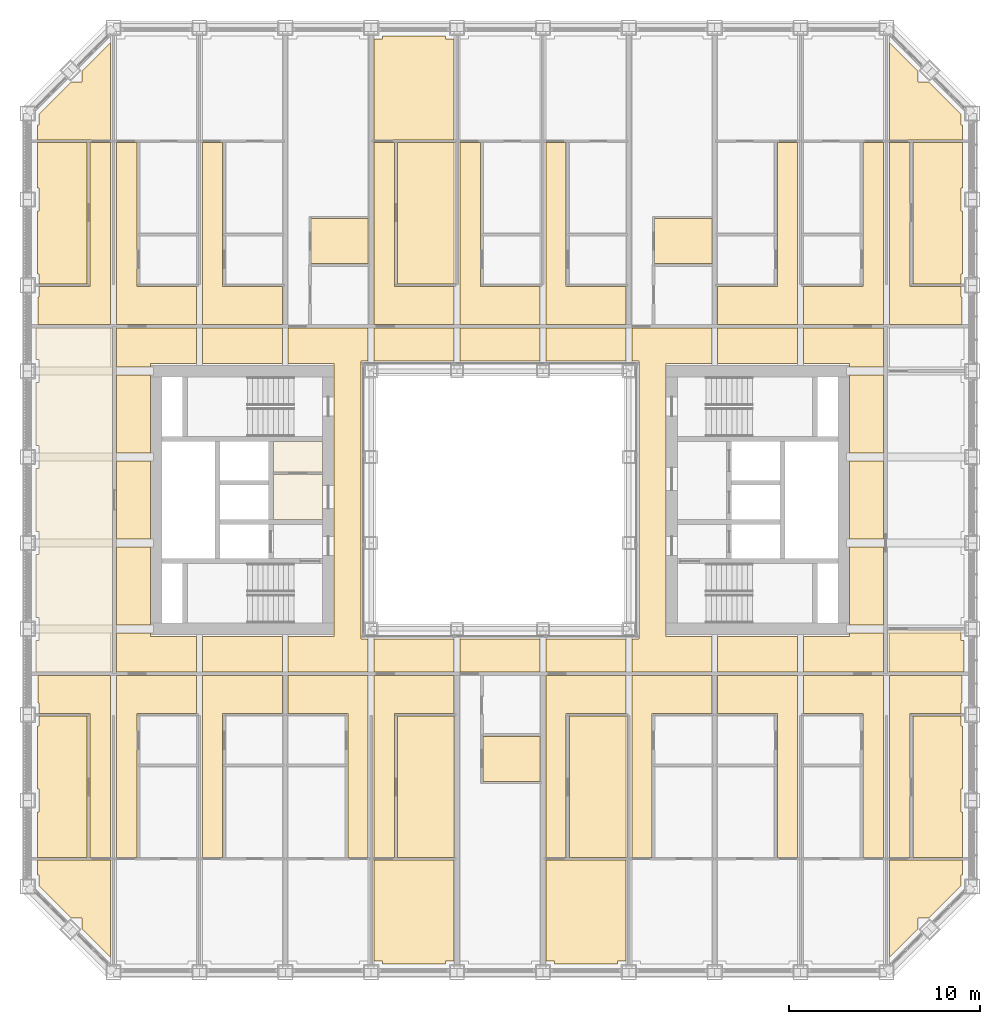
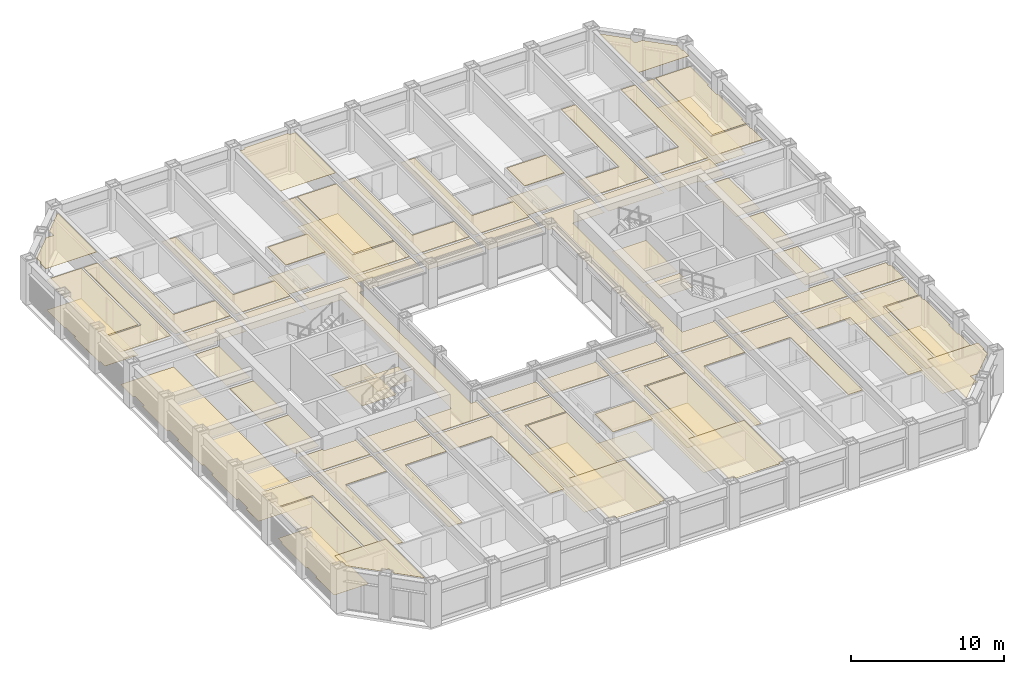
# One storey, part 18 of 20: 4 coverings.
"""IFC4 building model written with IfcOpenShell, lengths in metres."""

from ifc_helpers import new_model, si_unit, direction, frame, origin, place, context, subcontext, project, spatial, line, indexed_curve, outline, extrude, material, layer, layer_set, type_object, element, save


model = new_model("IFC4")

# Units and contexts
model_context = context("Model", 3, precision=1e-05, world=origin(), true_north=direction((0.0, 1.0)))
body_context = subcontext(model_context, "Body", "Model", "MODEL_VIEW")
ifc_project = project(units=[si_unit("LENGTHUNIT", "METRE"), si_unit("AREAUNIT", "SQUARE_METRE"), si_unit("VOLUMEUNIT", "CUBIC_METRE"), si_unit("PLANEANGLEUNIT", "RADIAN"), si_unit("MASSUNIT", "GRAM", prefix="KILO")], contexts=[model_context])

# Site, building, storey
site_placement = place(None, origin())
site = spatial("IfcSite", under=ifc_project, at=site_placement, CompositionType="ELEMENT")
building_placement = place(site_placement, origin())
building = spatial("IfcBuilding", under=site, at=building_placement, Name="Msasa Ring Tower", CompositionType="ELEMENT")
storey_placement = place(building_placement, frame((0.0, 0.0, 65.0)))
storey = spatial("IfcBuildingStorey", under=building, at=storey_placement, Name="L16", CompositionType="ELEMENT", Elevation=65.0)

# Coverings
ifc_material_1 = material(Name="Gypsum plasterboard on a steel suspension grid", Category="steel")
ifc_layer_1 = layer(ifc_material_1, 0.014892578125)
ifc_layer_set_1 = layer_set([ifc_layer_1], Name="C1 SUSPENDED PLASTERBOARD CEILING 15")
covering_type_1 = type_object("IfcCoveringType", Name="C1 SUSPENDED PLASTERBOARD CEILING 15", PredefinedType="CEILING", material=ifc_layer_set_1)
covering_1_placement = place(storey_placement, frame((0.0, 0.0, 2.39990234375)))
element("IfcCovering", 1, at=covering_1_placement, inside=storey, type_object=covering_type_1, Name="Suspended Plasterboard Ceiling 15 circulation L16", PredefinedType="CEILING", context=body_context, shape_type="SweptSolid", body=[
    extrude(outline(indexed_curve([(-21.469482421875, -18.744384765625), (-21.469482421875, -11.199462890625), (-24.1494140625, -11.199462890625), (-24.1494140625, -10.6494140625), (-24.199462890625, -10.6494140625), (-24.199462890625, -9.200439453125), (-20.404296875, -9.200439453125), (-20.404296875, -18.744384765625)], segments=[line(1, 2, 3, 4, 5, 6, 7, 8, 1)], self_intersect=False)), origin(), (0.0, 0.0, 1.0), 0.01513671875),
    extrude(outline(indexed_curve([(-24.199462890625, 9.200439453125), (-24.199462890625, 10.6494140625), (-24.1494140625, 10.6494140625), (-24.1494140625, 11.199462890625), (-21.469482421875, 11.199462890625), (-21.469482421875, 18.744384765625), (-20.404296875, 18.744384765625), (-20.404296875, 9.200439453125)], segments=[line(1, 2, 3, 4, 5, 6, 7, 8, 1)], self_intersect=False)), origin(), (0.0, 0.0, 1.0), 0.01513671875),
    extrude(outline(indexed_curve([(-20.099609375, -2.460693359375), (-18.300537109375, -2.460693359375), (-18.300537109375, -6.539306640625), (-20.099609375, -6.539306640625)], segments=[line(1, 2, 3, 4, 1)], self_intersect=False)), origin(), (0.0, 0.0, 1.0), 0.01513671875),
    extrude(outline(indexed_curve([(-20.099609375, 2.039306640625), (-18.300537109375, 2.039306640625), (-18.300537109375, -2.039306640625), (-20.099609375, -2.039306640625)], segments=[line(1, 2, 3, 4, 1)], self_intersect=False)), origin(), (0.0, 0.0, 1.0), 0.01513671875),
    extrude(outline(indexed_curve([(-20.099609375, 6.539306640625), (-18.300537109375, 6.539306640625), (-18.300537109375, 2.460693359375), (-20.099609375, 2.460693359375)], segments=[line(1, 2, 3, 4, 1)], self_intersect=False)), origin(), (0.0, 0.0, 1.0), 0.01513671875),
    extrude(outline(indexed_curve([(-19.030517578125, -11.199462890625), (-19.030517578125, -18.744384765625), (-20.095703125, -18.744384765625), (-20.095703125, -9.200439453125), (-15.904296875, -9.200439453125), (-15.904296875, -11.199462890625)], segments=[line(1, 2, 3, 4, 5, 6, 1)], self_intersect=False)), origin(), (0.0, 0.0, 1.0), 0.01513671875),
    extrude(outline(indexed_curve([(-20.095703125, -8.99951171875), (-20.095703125, -6.960693359375), (-18.300537109375, -6.960693359375), (-18.300537109375, -7.150390625), (-15.904296875, -7.150390625), (-15.904296875, -8.99951171875)], segments=[line(1, 2, 3, 4, 5, 6, 1)], self_intersect=False)), origin(), (0.0, 0.0, 1.0), 0.01513671875),
    extrude(outline(indexed_curve([(-15.904296875, 8.99951171875), (-15.904296875, 7.150390625), (-18.300537109375, 7.150390625), (-18.300537109375, 6.960693359375), (-20.095703125, 6.960693359375), (-20.095703125, 8.99951171875)], segments=[line(1, 2, 3, 4, 5, 6, 1)], self_intersect=False)), origin(), (0.0, 0.0, 1.0), 0.01513671875),
    extrude(outline(indexed_curve([(-19.030517578125, 18.744384765625), (-19.030517578125, 11.199462890625), (-15.904296875, 11.199462890625), (-15.904296875, 9.200439453125), (-20.095703125, 9.200439453125), (-20.095703125, 18.744384765625)], segments=[line(1, 2, 3, 4, 5, 6, 1)], self_intersect=False)), origin(), (0.0, 0.0, 1.0), 0.01513671875),
    extrude(outline(indexed_curve([(-11.404296875, -9.200439453125), (-11.404296875, -11.199462890625), (-14.530517578125, -11.199462890625), (-14.530517578125, -18.744384765625), (-15.595703125, -18.744384765625), (-15.595703125, -9.200439453125)], segments=[line(1, 2, 3, 4, 5, 6, 1)], self_intersect=False)), origin(), (0.0, 0.0, 1.0), 0.01513671875),
    extrude(outline(indexed_curve([(-15.595703125, -8.99951171875), (-15.595703125, -7.150390625), (-11.404296875, -7.150390625), (-11.404296875, -8.99951171875)], segments=[line(1, 2, 3, 4, 1)], self_intersect=False)), origin(), (0.0, 0.0, 1.0), 0.01513671875),
    extrude(outline(indexed_curve([(-11.404296875, 8.99951171875), (-11.404296875, 7.150390625), (-15.595703125, 7.150390625), (-15.595703125, 8.99951171875)], segments=[line(1, 2, 3, 4, 1)], self_intersect=False)), origin(), (0.0, 0.0, 1.0), 0.01513671875),
    extrude(outline(indexed_curve([(-14.530517578125, 18.744384765625), (-14.530517578125, 11.199462890625), (-11.404296875, 11.199462890625), (-11.404296875, 9.200439453125), (-15.595703125, 9.200439453125), (-15.595703125, 18.744384765625)], segments=[line(1, 2, 3, 4, 5, 6, 1)], self_intersect=False)), origin(), (0.0, 0.0, 1.0), 0.01513671875),
    extrude(outline(indexed_curve([(-11.87451171875, -3.074462890625), (-11.87451171875, -1.275390625), (-9.300537109375, -1.275390625), (-9.300537109375, -3.074462890625)], segments=[line(1, 2, 3, 4, 1)], self_intersect=False)), origin(), (0.0, 0.0, 1.0), 0.01513671875),
    extrude(outline(indexed_curve([(-7.969482421875, -18.744384765625), (-7.969482421875, -11.199462890625), (-11.095703125, -11.199462890625), (-11.095703125, -9.200439453125), (-6.904296875, -9.200439453125), (-6.904296875, -18.744384765625)], segments=[line(1, 2, 3, 4, 5, 6, 1)], self_intersect=False)), origin(), (0.0, 0.0, 1.0), 0.01513671875),
    extrude(outline(indexed_curve([(-6.904296875, 8.99951171875), (-6.904296875, 7.280029296875), (-7.275390625, 7.275390625), (-7.280517578125, 7.23046875), (-7.280517578125, -7.23046875), (-7.275390625, -7.275390625), (-6.904296875, -7.280029296875), (-6.904296875, -8.99951171875), (-11.095703125, -8.99951171875), (-11.095703125, -7.150390625), (-8.699462890625, -7.150390625), (-8.699462890625, 7.150390625), (-11.095703125, 7.150390625), (-11.095703125, 8.99951171875)], segments=[line(1, 2, 3, 4, 5, 6, 7, 8, 9, 10, 11, 12, 13, 14, 1)], self_intersect=False)), origin(), (0.0, 0.0, 1.0), 0.01513671875),
    extrude(outline(indexed_curve([(-6.595703125, -18.744384765625), (-6.595703125, -9.200439453125), (-2.404296875, -9.200439453125), (-2.404296875, -11.199462890625), (-5.530517578125, -11.199462890625), (-5.530517578125, -18.744384765625)], segments=[line(1, 2, 3, 4, 5, 6, 1)], self_intersect=False)), origin(), (0.0, 0.0, 1.0), 0.01513671875),
    extrude(outline(indexed_curve([(-6.595703125, -8.99951171875), (-6.595703125, -7.280029296875), (-2.404296875, -7.280029296875), (-2.404296875, -8.99951171875)], segments=[line(1, 2, 3, 4, 1)], self_intersect=False)), origin(), (0.0, 0.0, 1.0), 0.01513671875),
    extrude(outline(indexed_curve([(-2.404296875, 8.99951171875), (-2.404296875, 7.280029296875), (-6.595703125, 7.280029296875), (-6.595703125, 8.99951171875)], segments=[line(1, 2, 3, 4, 1)], self_intersect=False)), origin(), (0.0, 0.0, 1.0), 0.01513671875),
    extrude(outline(indexed_curve([(-5.530517578125, 11.199462890625), (-2.404296875, 11.199462890625), (-2.404296875, 9.200439453125), (-6.595703125, 9.200439453125), (-6.595703125, 18.744384765625), (-5.530517578125, 18.744384765625)], segments=[line(1, 2, 3, 4, 5, 6, 1)], self_intersect=False)), origin(), (0.0, 0.0, 1.0), 0.01513671875),
    extrude(outline(indexed_curve([(-2.095703125, -8.99951171875), (-2.095703125, -7.280029296875), (2.095703125, -7.280029296875), (2.095703125, -8.99951171875)], segments=[line(1, 2, 3, 4, 1)], self_intersect=False)), origin(), (0.0, 0.0, 1.0), 0.01513671875),
    extrude(outline(indexed_curve([(2.095703125, 8.99951171875), (2.095703125, 7.280029296875), (-2.095703125, 7.280029296875), (-2.095703125, 8.99951171875)], segments=[line(1, 2, 3, 4, 1)], self_intersect=False)), origin(), (0.0, 0.0, 1.0), 0.01513671875),
    extrude(outline(indexed_curve([(-1.030517578125, 18.744384765625), (-1.030517578125, 11.199462890625), (2.095703125, 11.199462890625), (2.095703125, 9.200439453125), (-2.095703125, 9.200439453125), (-2.095703125, 18.744384765625)], segments=[line(1, 2, 3, 4, 5, 6, 1)], self_intersect=False)), origin(), (0.0, 0.0, 1.0), 0.01513671875),
    extrude(outline(indexed_curve([(3.469482421875, -11.199462890625), (3.469482421875, -18.744384765625), (2.404296875, -18.744384765625), (2.404296875, -9.200439453125), (6.595703125, -9.200439453125), (6.595703125, -11.199462890625)], segments=[line(1, 2, 3, 4, 5, 6, 1)], self_intersect=False)), origin(), (0.0, 0.0, 1.0), 0.01513671875),
    extrude(outline(indexed_curve([(2.404296875, -8.99951171875), (2.404296875, -7.280029296875), (6.595703125, -7.280029296875), (6.595703125, -8.99951171875)], segments=[line(1, 2, 3, 4, 1)], self_intersect=False)), origin(), (0.0, 0.0, 1.0), 0.01513671875),
    extrude(outline(indexed_curve([(6.595703125, 8.99951171875), (6.595703125, 7.280029296875), (2.404296875, 7.280029296875), (2.404296875, 8.99951171875)], segments=[line(1, 2, 3, 4, 1)], self_intersect=False)), origin(), (0.0, 0.0, 1.0), 0.01513671875),
    extrude(outline(indexed_curve([(3.469482421875, 18.744384765625), (3.469482421875, 11.199462890625), (6.595703125, 11.199462890625), (6.595703125, 9.200439453125), (2.404296875, 9.200439453125), (2.404296875, 18.744384765625)], segments=[line(1, 2, 3, 4, 5, 6, 1)], self_intersect=False)), origin(), (0.0, 0.0, 1.0), 0.01513671875),
    extrude(outline(indexed_curve([(11.095703125, -9.200439453125), (11.095703125, -11.199462890625), (7.969482421875, -11.199462890625), (7.969482421875, -18.744384765625), (6.904296875, -18.744384765625), (6.904296875, -9.200439453125)], segments=[line(1, 2, 3, 4, 5, 6, 1)], self_intersect=False)), origin(), (0.0, 0.0, 1.0), 0.01513671875),
    extrude(outline(indexed_curve([(11.095703125, 8.99951171875), (11.095703125, 7.150390625), (8.699462890625, 7.150390625), (8.699462890625, -7.150390625), (11.095703125, -7.150390625), (11.095703125, -8.99951171875), (6.904296875, -8.99951171875), (6.904296875, -7.280029296875), (7.275390625, -7.275390625), (7.280517578125, -7.23046875), (7.280517578125, 7.23046875), (7.275390625, 7.275390625), (6.904296875, 7.280029296875), (6.904296875, 8.99951171875)], segments=[line(1, 2, 3, 4, 5, 6, 7, 8, 9, 10, 11, 12, 13, 14, 1)], self_intersect=False)), origin(), (0.0, 0.0, 1.0), 0.01513671875),
    extrude(outline(indexed_curve([(9.300537109375, -3.074462890625), (9.300537109375, -1.275390625), (11.87451171875, -1.275390625), (11.87451171875, -3.074462890625)], segments=[line(1, 2, 3, 4, 1)], self_intersect=False)), origin(), (0.0, 0.0, 1.0), 0.01513671875),
    extrude(outline(indexed_curve([(9.300537109375, 3.074462890625), (11.87451171875, 3.074462890625), (11.87451171875, -1.0244140625), (9.300537109375, -1.0244140625)], segments=[line(1, 2, 3, 4, 1)], self_intersect=False)), origin(), (0.0, 0.0, 1.0), 0.01513671875),
    extrude(outline(indexed_curve([(14.530517578125, -18.744384765625), (14.530517578125, -11.199462890625), (11.404296875, -11.199462890625), (11.404296875, -9.200439453125), (15.595703125, -9.200439453125), (15.595703125, -18.744384765625)], segments=[line(1, 2, 3, 4, 5, 6, 1)], self_intersect=False)), origin(), (0.0, 0.0, 1.0), 0.01513671875),
    extrude(outline(indexed_curve([(11.404296875, -8.99951171875), (11.404296875, -7.150390625), (15.595703125, -7.150390625), (15.595703125, -8.99951171875)], segments=[line(1, 2, 3, 4, 1)], self_intersect=False)), origin(), (0.0, 0.0, 1.0), 0.01513671875),
    extrude(outline(indexed_curve([(15.595703125, 8.99951171875), (15.595703125, 7.150390625), (11.404296875, 7.150390625), (11.404296875, 8.99951171875)], segments=[line(1, 2, 3, 4, 1)], self_intersect=False)), origin(), (0.0, 0.0, 1.0), 0.01513671875),
    extrude(outline(indexed_curve([(11.404296875, 9.200439453125), (11.404296875, 11.199462890625), (14.530517578125, 11.199462890625), (14.530517578125, 18.744384765625), (15.595703125, 18.744384765625), (15.595703125, 9.200439453125)], segments=[line(1, 2, 3, 4, 5, 6, 1)], self_intersect=False)), origin(), (0.0, 0.0, 1.0), 0.01513671875),
    extrude(outline(indexed_curve([(19.030517578125, -18.744384765625), (19.030517578125, -11.199462890625), (15.904296875, -11.199462890625), (15.904296875, -9.200439453125), (20.095703125, -9.200439453125), (20.095703125, -18.744384765625)], segments=[line(1, 2, 3, 4, 5, 6, 1)], self_intersect=False)), origin(), (0.0, 0.0, 1.0), 0.01513671875),
    extrude(outline(indexed_curve([(15.904296875, -8.99951171875), (15.904296875, -7.150390625), (18.300537109375, -7.150390625), (18.300537109375, -6.960693359375), (20.095703125, -6.960693359375), (20.095703125, -8.99951171875)], segments=[line(1, 2, 3, 4, 5, 6, 1)], self_intersect=False)), origin(), (0.0, 0.0, 1.0), 0.01513671875),
    extrude(outline(indexed_curve([(20.095703125, 8.99951171875), (20.095703125, 6.960693359375), (18.300537109375, 6.960693359375), (18.300537109375, 7.150390625), (15.904296875, 7.150390625), (15.904296875, 8.99951171875)], segments=[line(1, 2, 3, 4, 5, 6, 1)], self_intersect=False)), origin(), (0.0, 0.0, 1.0), 0.01513671875),
    extrude(outline(indexed_curve([(19.030517578125, 11.199462890625), (19.030517578125, 18.744384765625), (20.095703125, 18.744384765625), (20.095703125, 9.200439453125), (15.904296875, 9.200439453125), (15.904296875, 11.199462890625)], segments=[line(1, 2, 3, 4, 5, 6, 1)], self_intersect=False)), origin(), (0.0, 0.0, 1.0), 0.01513671875),
    extrude(outline(indexed_curve([(20.099609375, -6.539306640625), (18.300537109375, -6.539306640625), (18.300537109375, -2.460693359375), (20.099609375, -2.460693359375)], segments=[line(1, 2, 3, 4, 1)], self_intersect=False)), origin(), (0.0, 0.0, 1.0), 0.01513671875),
    extrude(outline(indexed_curve([(20.099609375, -2.039306640625), (18.300537109375, -2.039306640625), (18.300537109375, 2.039306640625), (20.099609375, 2.039306640625)], segments=[line(1, 2, 3, 4, 1)], self_intersect=False)), origin(), (0.0, 0.0, 1.0), 0.01513671875),
    extrude(outline(indexed_curve([(20.099609375, 2.460693359375), (18.300537109375, 2.460693359375), (18.300537109375, 6.539306640625), (20.099609375, 6.539306640625)], segments=[line(1, 2, 3, 4, 1)], self_intersect=False)), origin(), (0.0, 0.0, 1.0), 0.01513671875),
    extrude(outline(indexed_curve([(24.199462890625, -9.200439453125), (24.199462890625, -10.6494140625), (24.1494140625, -10.6494140625), (24.1494140625, -11.199462890625), (21.469482421875, -11.199462890625), (21.469482421875, -18.744384765625), (20.404296875, -18.744384765625), (20.404296875, -9.200439453125)], segments=[line(1, 2, 3, 4, 5, 6, 7, 8, 1)], self_intersect=False)), origin(), (0.0, 0.0, 1.0), 0.01513671875),
    extrude(outline(indexed_curve([(21.469482421875, 18.744384765625), (21.469482421875, 11.199462890625), (24.1494140625, 11.199462890625), (24.1494140625, 10.6494140625), (24.199462890625, 10.6494140625), (24.199462890625, 9.200439453125), (20.404296875, 9.200439453125), (20.404296875, 18.744384765625)], segments=[line(1, 2, 3, 4, 5, 6, 7, 8, 1)], self_intersect=False)), origin(), (0.0, 0.0, 1.0), 0.01513671875),
])
covering_2_placement = place(storey_placement, frame((0.0, 0.0, 3.199951171875)))
element("IfcCovering", 2, at=covering_2_placement, inside=storey, type_object=covering_type_1, Name="Suspended Plasterboard Ceiling 15 public rooms L16", PredefinedType="CEILING", context=body_context, shape_type="SweptSolid", body=[
    extrude(outline(indexed_curve([(-24.239501953125, -18.85546875), (-20.404296875, -18.85546875), (-20.404296875, -23.95849609375), (-21.8994140625, -22.46337890625), (-21.8994140625, -21.8994140625), (-22.46337890625, -21.8994140625), (-24.1494140625, -20.21337890625), (-24.1494140625, -19.6494140625), (-24.239501953125, -19.6494140625)], segments=[line(1, 2, 3, 4, 5, 6, 7, 8, 9, 1)], self_intersect=False)), origin(), (0.0, 0.0, 1.0), 0.01513671875),
    extrude(outline(indexed_curve([(-24.239501953125, 18.85546875), (-24.239501953125, 19.6494140625), (-24.1494140625, 19.6494140625), (-24.1494140625, 20.21337890625), (-22.46337890625, 21.8994140625), (-21.8994140625, 21.8994140625), (-21.8994140625, 22.46337890625), (-20.404296875, 23.95849609375), (-20.404296875, 18.85546875)], segments=[line(1, 2, 3, 4, 5, 6, 7, 8, 9, 1)], self_intersect=False)), origin(), (0.0, 0.0, 1.0), 0.01513671875),
    extrude(outline(indexed_curve([(-6.1494140625, -24.299560546875), (-6.1494140625, -24.1494140625), (-6.595703125, -24.1494140625), (-6.595703125, -18.85546875), (-2.404296875, -18.85546875), (-2.404296875, -24.1494140625), (-2.8505859375, -24.1494140625), (-2.8505859375, -24.299560546875)], segments=[line(1, 2, 3, 4, 5, 6, 7, 8, 1)], self_intersect=False)), origin(), (0.0, 0.0, 1.0), 0.01513671875),
    extrude(outline(indexed_curve([(-6.595703125, 18.85546875), (-6.595703125, 24.1494140625), (-6.1494140625, 24.1494140625), (-6.1494140625, 24.299560546875), (-2.8505859375, 24.299560546875), (-2.8505859375, 24.1494140625), (-2.404296875, 24.1494140625), (-2.404296875, 18.85546875)], segments=[line(1, 2, 3, 4, 5, 6, 7, 8, 1)], self_intersect=False)), origin(), (0.0, 0.0, 1.0), 0.01513671875),
    extrude(outline(indexed_curve([(6.595703125, -18.85546875), (6.595703125, -24.1494140625), (6.1494140625, -24.1494140625), (6.1494140625, -24.299560546875), (2.8505859375, -24.299560546875), (2.8505859375, -24.1494140625), (2.404296875, -24.1494140625), (2.404296875, -18.85546875)], segments=[line(1, 2, 3, 4, 5, 6, 7, 8, 1)], self_intersect=False)), origin(), (0.0, 0.0, 1.0), 0.01513671875),
    extrude(outline(indexed_curve([(24.239501953125, -18.85546875), (24.239501953125, -19.6494140625), (24.1494140625, -19.6494140625), (24.1494140625, -20.21337890625), (22.46337890625, -21.8994140625), (21.8994140625, -21.8994140625), (21.8994140625, -22.46337890625), (20.404296875, -23.95849609375), (20.404296875, -18.85546875)], segments=[line(1, 2, 3, 4, 5, 6, 7, 8, 9, 1)], self_intersect=False)), origin(), (0.0, 0.0, 1.0), 0.01513671875),
    extrude(outline(indexed_curve([(24.239501953125, 18.85546875), (20.404296875, 18.85546875), (20.404296875, 23.95849609375), (21.8994140625, 22.46337890625), (21.8994140625, 21.8994140625), (22.46337890625, 21.8994140625), (24.1494140625, 20.21337890625), (24.1494140625, 19.6494140625), (24.239501953125, 19.6494140625)], segments=[line(1, 2, 3, 4, 5, 6, 7, 8, 9, 1)], self_intersect=False)), origin(), (0.0, 0.0, 1.0), 0.01513671875),
])
ifc_material_2 = material(Name="Perforated aluminium ceiling pans on a steel grid", Category="steel")
ifc_layer_2 = layer(ifc_material_2, 0.02490234375)
ifc_layer_set_2 = layer_set([ifc_layer_2], Name="C4 PERFORATED METAL PAN CEILING 25")
covering_type_2 = type_object("IfcCoveringType", Name="C4 PERFORATED METAL PAN CEILING 25", PredefinedType="CEILING", material=ifc_layer_set_2)
covering_3_placement = place(storey_placement, frame((0.0, 0.0, 2.39990234375)))
element("IfcCovering", 3, at=covering_3_placement, inside=storey, type_object=covering_type_2, Name="Perforated Metal Pan Ceiling 25 L16", PredefinedType="CEILING", context=body_context, shape_type="SweptSolid", body=[
    extrude(outline(indexed_curve([(-24.239501953125, -18.744384765625), (-24.239501953125, -16.3505859375), (-24.1494140625, -16.3505859375), (-24.1494140625, -15.1494140625), (-24.239501953125, -15.1494140625), (-24.239501953125, -11.8505859375), (-24.1494140625, -11.8505859375), (-24.1494140625, -11.305419921875), (-21.630615234375, -11.305419921875), (-21.630615234375, -18.744384765625)], segments=[line(1, 2, 3, 4, 5, 6, 7, 8, 9, 10, 1)], self_intersect=False)), origin(), (0.0, 0.0, 1.0), 0.025146484375),
    extrude(outline(indexed_curve([(-24.239501953125, 15.1494140625), (-24.1494140625, 15.1494140625), (-24.1494140625, 16.3505859375), (-24.239501953125, 16.3505859375), (-24.239501953125, 18.744384765625), (-21.630615234375, 18.744384765625), (-21.630615234375, 11.305419921875), (-24.1494140625, 11.305419921875), (-24.1494140625, 11.8505859375), (-24.239501953125, 11.8505859375)], segments=[line(1, 2, 3, 4, 5, 6, 7, 8, 9, 10, 1)], self_intersect=False)), origin(), (0.0, 0.0, 1.0), 0.025146484375),
    extrude(outline(indexed_curve([(-9.8994140625, 14.744384765625), (-6.904296875, 14.744384765625), (-6.904296875, 12.380615234375), (-9.8994140625, 12.380615234375)], segments=[line(1, 2, 3, 4, 1)], self_intersect=False)), origin(), (0.0, 0.0, 1.0), 0.025146484375),
    extrude(outline(indexed_curve([(-5.369384765625, -18.744384765625), (-5.369384765625, -11.305419921875), (-2.404296875, -11.305419921875), (-2.404296875, -18.744384765625)], segments=[line(1, 2, 3, 4, 1)], self_intersect=False)), origin(), (0.0, 0.0, 1.0), 0.025146484375),
    extrude(outline(indexed_curve([(-5.369384765625, 11.305419921875), (-5.369384765625, 18.744384765625), (-2.404296875, 18.744384765625), (-2.404296875, 11.305419921875)], segments=[line(1, 2, 3, 4, 1)], self_intersect=False)), origin(), (0.0, 0.0, 1.0), 0.025146484375),
    extrude(outline(indexed_curve([(-0.8994140625, -14.744384765625), (-0.8994140625, -12.380615234375), (2.095703125, -12.380615234375), (2.095703125, -14.744384765625)], segments=[line(1, 2, 3, 4, 1)], self_intersect=False)), origin(), (0.0, 0.0, 1.0), 0.025146484375),
    extrude(outline(indexed_curve([(3.630615234375, -11.305419921875), (6.595703125, -11.305419921875), (6.595703125, -18.744384765625), (3.630615234375, -18.744384765625)], segments=[line(1, 2, 3, 4, 1)], self_intersect=False)), origin(), (0.0, 0.0, 1.0), 0.025146484375),
    extrude(outline(indexed_curve([(8.1005859375, 14.744384765625), (11.095703125, 14.744384765625), (11.095703125, 12.380615234375), (8.1005859375, 12.380615234375)], segments=[line(1, 2, 3, 4, 1)], self_intersect=False)), origin(), (0.0, 0.0, 1.0), 0.025146484375),
    extrude(outline(indexed_curve([(24.299560546875, -8.99951171875), (20.404296875, -8.99951171875), (20.404296875, -6.960693359375), (24.1494140625, -6.960693359375), (24.1494140625, -7.3505859375), (24.299560546875, -7.3505859375)], segments=[line(1, 2, 3, 4, 5, 6, 1)], self_intersect=False)), origin(), (0.0, 0.0, 1.0), 0.025146484375),
    extrude(outline(indexed_curve([(21.630615234375, -11.305419921875), (24.1494140625, -11.305419921875), (24.1494140625, -11.8505859375), (24.239501953125, -11.8505859375), (24.239501953125, -15.1494140625), (24.1494140625, -15.1494140625), (24.1494140625, -16.3505859375), (24.239501953125, -16.3505859375), (24.239501953125, -18.744384765625), (21.630615234375, -18.744384765625)], segments=[line(1, 2, 3, 4, 5, 6, 7, 8, 9, 10, 1)], self_intersect=False)), origin(), (0.0, 0.0, 1.0), 0.025146484375),
    extrude(outline(indexed_curve([(21.630615234375, 18.744384765625), (24.239501953125, 18.744384765625), (24.239501953125, 16.3505859375), (24.1494140625, 16.3505859375), (24.1494140625, 15.1494140625), (24.239501953125, 15.1494140625), (24.239501953125, 11.8505859375), (24.1494140625, 11.8505859375), (24.1494140625, 11.305419921875), (21.630615234375, 11.305419921875)], segments=[line(1, 2, 3, 4, 5, 6, 7, 8, 9, 10, 1)], self_intersect=False)), origin(), (0.0, 0.0, 1.0), 0.025146484375),
])
ifc_material_3 = material(Name="Welded vinyl safety sheet flooring", Category="vinyl")
ifc_layer_3 = layer(ifc_material_3, 0.0029296875)
ifc_layer_set_3 = layer_set([ifc_layer_3], Name="F5 RESILIENT SHEET FLOORING 3")
covering_type_3 = type_object("IfcCoveringType", Name="F5 RESILIENT SHEET FLOORING 3", PredefinedType="FLOORING", material=ifc_layer_set_3)
covering_4_placement = place(storey_placement, origin())
element("IfcCovering", 4, at=covering_4_placement, inside=storey, type_object=covering_type_3, Name="Resilient Sheet Flooring 3 L16", PredefinedType="FLOORING", context=body_context, shape_type="SweptSolid", body=[
    extrude(outline(indexed_curve([(-24.299560546875, -8.99951171875), (-24.299560546875, -7.3505859375), (-24.1494140625, -7.3505859375), (-24.1494140625, -6.1494140625), (-24.299560546875, -6.1494140625), (-24.299560546875, -2.8505859375), (-24.1494140625, -2.8505859375), (-24.1494140625, -1.6494140625), (-24.299560546875, -1.6494140625), (-24.299560546875, 1.6494140625), (-24.1494140625, 1.6494140625), (-24.1494140625, 2.8505859375), (-24.299560546875, 2.8505859375), (-24.299560546875, 6.1494140625), (-24.1494140625, 6.1494140625), (-24.1494140625, 7.3505859375), (-24.299560546875, 7.3505859375), (-24.299560546875, 8.99951171875), (-20.300537109375, 8.99951171875), (-20.300537109375, -8.99951171875)], segments=[line(1, 2, 3, 4, 5, 6, 7, 8, 9, 10, 11, 12, 13, 14, 15, 16, 17, 18, 19, 20, 1)], self_intersect=False)), origin(), (0.0, 0.0, 1.0), 0.0029296875),
    extrude(outline(indexed_curve([(-24.239501953125, -16.3505859375), (-24.1494140625, -16.3505859375), (-24.1494140625, -15.1494140625), (-24.239501953125, -15.1494140625), (-24.239501953125, -11.8505859375), (-24.1494140625, -11.8505859375), (-24.1494140625, -11.305419921875), (-21.630615234375, -11.305419921875), (-21.630615234375, -18.744384765625), (-24.239501953125, -18.744384765625)], segments=[line(1, 2, 3, 4, 5, 6, 7, 8, 9, 10, 1)], self_intersect=False)), origin(), (0.0, 0.0, 1.0), 0.0029296875),
    extrude(outline(indexed_curve([(-21.630615234375, 18.744384765625), (-21.630615234375, 11.305419921875), (-24.1494140625, 11.305419921875), (-24.1494140625, 11.8505859375), (-24.239501953125, 11.8505859375), (-24.239501953125, 15.1494140625), (-24.1494140625, 15.1494140625), (-24.1494140625, 16.3505859375), (-24.239501953125, 16.3505859375), (-24.239501953125, 18.744384765625)], segments=[line(1, 2, 3, 4, 5, 6, 7, 8, 9, 10, 1)], self_intersect=False)), origin(), (0.0, 0.0, 1.0), 0.0029296875),
    extrude(outline(indexed_curve([(-9.300537109375, 1.344482421875), (-9.300537109375, -1.0244140625), (-11.87451171875, -1.0244140625), (-11.87451171875, 1.344482421875)], segments=[line(1, 2, 3, 4, 1)], self_intersect=False)), origin(), (0.0, 0.0, 1.0), 0.0029296875),
    extrude(outline(indexed_curve([(-9.300537109375, 3.074462890625), (-9.300537109375, 1.45556640625), (-11.87451171875, 1.45556640625), (-11.87451171875, 3.074462890625)], segments=[line(1, 2, 3, 4, 1)], self_intersect=False)), origin(), (0.0, 0.0, 1.0), 0.0029296875),
    extrude(outline(indexed_curve([(-6.87548828125, 14.744384765625), (-6.87548828125, 12.380615234375), (-9.8994140625, 12.380615234375), (-9.8994140625, 14.744384765625)], segments=[line(1, 2, 3, 4, 1)], self_intersect=False)), origin(), (0.0, 0.0, 1.0), 0.0029296875),
    extrude(outline(indexed_curve([(-5.369384765625, -11.305419921875), (-2.37548828125, -11.305419921875), (-2.37548828125, -18.744384765625), (-5.369384765625, -18.744384765625)], segments=[line(1, 2, 3, 4, 1)], self_intersect=False)), origin(), (0.0, 0.0, 1.0), 0.0029296875),
    extrude(outline(indexed_curve([(-2.310546875, 18.744384765625), (-2.310546875, 11.305419921875), (-5.369384765625, 11.305419921875), (-5.369384765625, 18.744384765625)], segments=[line(1, 2, 3, 4, 1)], self_intersect=False)), origin(), (0.0, 0.0, 1.0), 0.0029296875),
    extrude(outline(indexed_curve([(2.12451171875, -12.380615234375), (2.12451171875, -14.744384765625), (-0.8994140625, -14.744384765625), (-0.8994140625, -12.380615234375)], segments=[line(1, 2, 3, 4, 1)], self_intersect=False)), origin(), (0.0, 0.0, 1.0), 0.0029296875),
    extrude(outline(indexed_curve([(6.689453125, -11.305419921875), (6.689453125, -18.744384765625), (3.630615234375, -18.744384765625), (3.630615234375, -11.305419921875)], segments=[line(1, 2, 3, 4, 1)], self_intersect=False)), origin(), (0.0, 0.0, 1.0), 0.0029296875),
    extrude(outline(indexed_curve([(11.12451171875, 14.744384765625), (11.12451171875, 12.380615234375), (8.1005859375, 12.380615234375), (8.1005859375, 14.744384765625)], segments=[line(1, 2, 3, 4, 1)], self_intersect=False)), origin(), (0.0, 0.0, 1.0), 0.0029296875),
    extrude(outline(indexed_curve([(20.300537109375, -6.805419921875), (24.1494140625, -6.805419921875), (24.1494140625, -7.3505859375), (24.299560546875, -7.3505859375), (24.299560546875, -8.99951171875), (20.300537109375, -8.99951171875)], segments=[line(1, 2, 3, 4, 5, 6, 1)], self_intersect=False)), origin(), (0.0, 0.0, 1.0), 0.0029296875),
    extrude(outline(indexed_curve([(24.1494140625, -11.305419921875), (24.1494140625, -11.8505859375), (24.239501953125, -11.8505859375), (24.239501953125, -15.1494140625), (24.1494140625, -15.1494140625), (24.1494140625, -16.3505859375), (24.239501953125, -16.3505859375), (24.239501953125, -18.744384765625), (21.630615234375, -18.744384765625), (21.630615234375, -11.305419921875)], segments=[line(1, 2, 3, 4, 5, 6, 7, 8, 9, 10, 1)], self_intersect=False)), origin(), (0.0, 0.0, 1.0), 0.0029296875),
    extrude(outline(indexed_curve([(24.239501953125, 18.744384765625), (24.239501953125, 16.3505859375), (24.1494140625, 16.3505859375), (24.1494140625, 15.1494140625), (24.239501953125, 15.1494140625), (24.239501953125, 11.8505859375), (24.1494140625, 11.8505859375), (24.1494140625, 11.305419921875), (21.630615234375, 11.305419921875), (21.630615234375, 18.744384765625)], segments=[line(1, 2, 3, 4, 5, 6, 7, 8, 9, 10, 1)], self_intersect=False)), origin(), (0.0, 0.0, 1.0), 0.0029296875),
])

save(model, "model.ifc")
